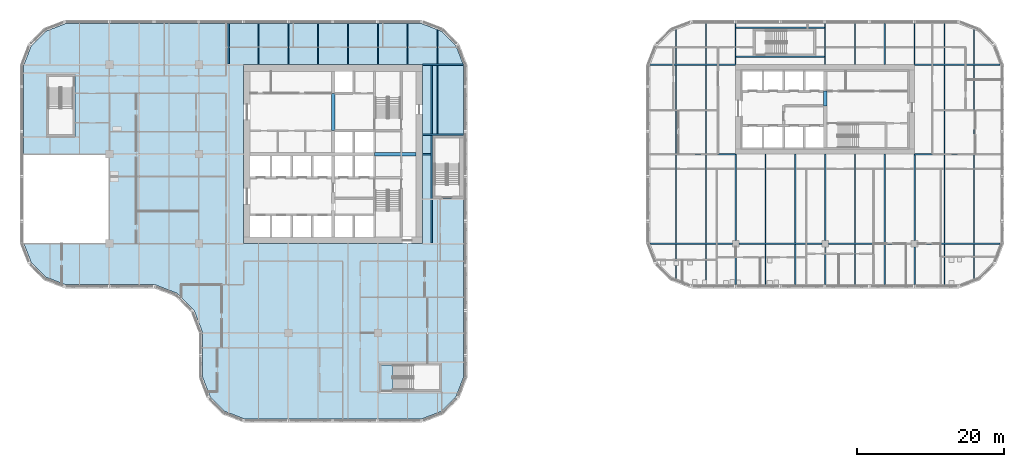
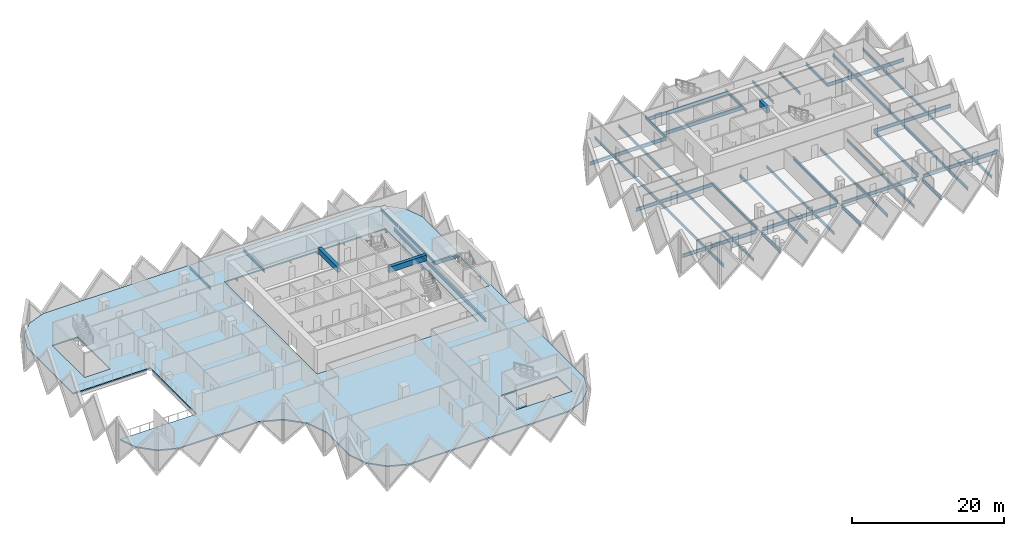
# One storey, part 2 of 20: 61 beams, 2 slabs.
"""IFC4 building model written with IfcOpenShell, lengths in metres."""

from ifc_helpers import new_model, si_unit, direction, frame, origin, origin_2d, place, context, subcontext, project, spatial, polyline, rectangle, i_section, outline, extrude, material, layer, layer_set, material_profile, profile_set, type_object, element, save


model = new_model("IFC4")

# Units and contexts
model_context = context("Model", 3, precision=1e-05, world=origin(), true_north=direction((0.0, 1.0)))
body_context = subcontext(model_context, "Body", "Model", "MODEL_VIEW")
ifc_project = project(units=[si_unit("LENGTHUNIT", "METRE"), si_unit("AREAUNIT", "SQUARE_METRE"), si_unit("VOLUMEUNIT", "CUBIC_METRE"), si_unit("PLANEANGLEUNIT", "RADIAN"), si_unit("MASSUNIT", "GRAM", prefix="KILO")], contexts=[model_context])

# Site, building, storey
site_placement = place(None, origin())
site = spatial("IfcSite", under=ifc_project, at=site_placement, CompositionType="ELEMENT")
building_placement = place(site_placement, origin())
building = spatial("IfcBuilding", under=site, at=building_placement, Name="Tessera Gate Towers", CompositionType="ELEMENT")
storey_placement = place(building_placement, frame((0.0, 0.0, 52.39990234375)))
storey = spatial("IfcBuildingStorey", under=building, at=storey_placement, Name="L12", CompositionType="ELEMENT", Elevation=52.39990234375)

# Beams
ifc_material_1 = material(Name="Concrete C60/75", Category="concrete")
ifc_material_profile_1 = material_profile(ifc_material_1, rectangle(XDim=0.5, YDim=0.89990234375, at=origin_2d()), Name="RC 500x900")
ifc_profile_set_1 = profile_set([ifc_material_profile_1], Name="Concrete C60/75")
beam_type_1 = type_object("IfcBeamType", Name="COUPLING BEAM 500x900 C60/75", PredefinedType="BEAM", material=ifc_profile_set_1)
beam_1_placement = place(storey_placement, frame((109.800048828125, 43.199951171875, 3.150146484375), z_axis=(0.0, 1.0, 0.0), x_axis=(-1.0, 0.0, 0.0)))
element("IfcBeam", 1, at=beam_1_placement, inside=storey, type_object=beam_type_1, Name="L12 coupling beam 1", PredefinedType="BEAM", context=body_context, shape_type="SweptSolid", body=[
    extrude(rectangle(XDim=0.5, YDim=0.89990234375, at=origin_2d()), origin(), (0.0, 0.0, 1.0), 2.0),
])
ifc_material_2 = material(Name="Concrete C70/85", Category="concrete")
ifc_material_profile_2 = material_profile(ifc_material_2, rectangle(XDim=0.5, YDim=0.89990234375, at=origin_2d()), Name="RC 500x900")
ifc_profile_set_2 = profile_set([ifc_material_profile_2], Name="Concrete C70/85")
beam_type_2 = type_object("IfcBeamType", Name="COUPLING BEAM 500x900 C70/85", PredefinedType="BEAM", material=ifc_profile_set_2)
beam_2_placement = place(storey_placement, frame((48.35009765625, 36.60009765625, 3.150146484375), z_axis=(1.0, 0.0, 0.0), x_axis=(0.0, 1.0, 0.0)))
element("IfcBeam", 2, at=beam_2_placement, inside=storey, type_object=beam_type_2, Name="L12 coupling beam 1", PredefinedType="BEAM", context=body_context, shape_type="SweptSolid", body=[
    extrude(rectangle(XDim=0.5, YDim=0.89990234375, at=origin_2d()), origin(), (0.0, 0.0, 1.0), 5.64990234375),
])
beam_3_placement = place(storey_placement, frame((42.699951171875, 39.800048828125, 3.150146484375), z_axis=(0.0, 1.0, 0.0), x_axis=(-1.0, 0.0, 0.0)))
element("IfcBeam", 3, at=beam_3_placement, inside=storey, type_object=beam_type_2, Name="L12 coupling beam 2", PredefinedType="BEAM", context=body_context, shape_type="SweptSolid", body=[
    extrude(rectangle(XDim=0.5, YDim=0.89990234375, at=origin_2d()), origin(), (0.0, 0.0, 1.0), 5.099853515625),
])
ifc_material_3 = material(Name="Steel 350W", Category="steel")
ifc_material_profile_3 = material_profile(ifc_material_3, i_section(OverallWidth=0.208984375, OverallDepth=0.532958984375, WebThickness=0.01025390625, FlangeThickness=0.015625, at=origin_2d()), Name="W530x92")
ifc_profile_set_3 = profile_set([ifc_material_profile_3], Name="Steel 350W")
beam_type_3 = type_object("IfcBeamType", Name="FLOOR GIRDER W530x92", PredefinedType="BEAM", material=ifc_profile_set_3)
beam_4_placement = place(storey_placement, frame((54.89892578125, 36.60009765625, -0.46630859375), z_axis=(1.0, 0.0, 0.0), x_axis=(0.0, 1.0, 0.0)))
element("IfcBeam", 4, at=beam_4_placement, inside=storey, type_object=beam_type_3, Name="T1-GD-L12-1762", PredefinedType="BEAM", context=body_context, shape_type="SweptSolid", body=[
    extrude(i_section(OverallWidth=0.208984375, OverallDepth=0.532958984375, WebThickness=0.01025390625, FlangeThickness=0.015625, at=origin_2d()), origin(), (0.0, 0.0, 1.0), 1.176513671875),
])
beam_5_placement = place(storey_placement, frame((54.90087890625, 48.800048828125, -0.46630859375), z_axis=(1.0, 0.0, 0.0), x_axis=(0.0, 1.0, 0.0)))
element("IfcBeam", 5, at=beam_5_placement, inside=storey, type_object=beam_type_3, Name="T1-GD-L12-1766", PredefinedType="BEAM", context=body_context, shape_type="SweptSolid", body=[
    extrude(i_section(OverallWidth=0.208984375, OverallDepth=0.532958984375, WebThickness=0.01025390625, FlangeThickness=0.015625, at=origin_2d()), origin(), (0.0, 0.0, 1.0), 5.564208984375),
])
beam_6_placement = place(storey_placement, frame((54.89892578125, 39.219970703125, -0.46630859375), z_axis=(1.0, 0.0, 0.0), x_axis=(0.0, 1.0, 0.0)))
element("IfcBeam", 6, at=beam_6_placement, inside=storey, type_object=beam_type_3, Name="T1-GD-L12-1784", PredefinedType="BEAM", context=body_context, shape_type="SweptSolid", body=[
    extrude(i_section(OverallWidth=0.208984375, OverallDepth=0.532958984375, WebThickness=0.01025390625, FlangeThickness=0.015625, at=origin_2d()), origin(), (0.0, 0.0, 1.0), 5.60205078125),
])
beam_7_placement = place(storey_placement, frame((56.179931640625, 24.50439453125, -0.46630859375), z_axis=(0.0, 1.0, 0.0), x_axis=(-1.0, 0.0, 0.0)))
element("IfcBeam", 7, at=beam_7_placement, inside=storey, type_object=beam_type_3, Name="T1-GD-L12-1785", PredefinedType="BEAM", context=body_context, shape_type="SweptSolid", body=[
    extrude(i_section(OverallWidth=0.208984375, OverallDepth=0.532958984375, WebThickness=0.01025390625, FlangeThickness=0.015625, at=origin_2d()), origin(), (0.0, 0.0, 1.0), 24.191162109375),
])
beam_8_placement = place(storey_placement, frame((85.934814453125, 24.39990234375, -0.46630859375), z_axis=(1.0, 0.0, 0.0), x_axis=(0.0, 1.0, 0.0)))
element("IfcBeam", 8, at=beam_8_placement, inside=storey, type_object=beam_type_3, Name="T2-GD-L12-1826", PredefinedType="BEAM", context=body_context, shape_type="SweptSolid", body=[
    extrude(i_section(OverallWidth=0.208984375, OverallDepth=0.532958984375, WebThickness=0.01025390625, FlangeThickness=0.015625, at=origin_2d()), origin(), (0.0, 0.0, 1.0), 11.215087890625),
])
for number, where, z_axis, x_axis, name in (
    (9, (98.050048828125, 24.39990234375, -0.46630859375), (1.0, 0.0, 0.0), (0.0, 1.0, 0.0), "T2-GD-L12-1827"),
    (10, (110.25, 24.39990234375, -0.46630859375), (1.0, 0.0, 0.0), (0.0, 1.0, 0.0), "T2-GD-L12-1828"),
):
    element("IfcBeam", number, at=place(storey_placement, frame(where, z_axis=z_axis, x_axis=x_axis)), inside=storey, type_object=beam_type_3, Name=name, PredefinedType="BEAM", context=body_context, shape_type="SweptSolid", body=[
        extrude(i_section(OverallWidth=0.208984375, OverallDepth=0.532958984375, WebThickness=0.01025390625, FlangeThickness=0.015625, at=origin_2d()), origin(), (0.0, 0.0, 1.0), 11.300048828125),
    ])
beam_9_placement = place(storey_placement, frame((122.449951171875, 24.39990234375, -0.46630859375), z_axis=(1.0, 0.0, 0.0), x_axis=(0.0, 1.0, 0.0)))
element("IfcBeam", 11, at=beam_9_placement, inside=storey, type_object=beam_type_3, Name="T2-GD-L12-1829", PredefinedType="BEAM", context=body_context, shape_type="SweptSolid", body=[
    extrude(i_section(OverallWidth=0.208984375, OverallDepth=0.532958984375, WebThickness=0.01025390625, FlangeThickness=0.015625, at=origin_2d()), origin(), (0.0, 0.0, 1.0), 11.21533203125),
])
beam_10_placement = place(storey_placement, frame((85.89892578125, 36.60009765625, -0.46630859375), z_axis=(1.0, 0.0, 0.0), x_axis=(0.0, 1.0, 0.0)))
element("IfcBeam", 12, at=beam_10_placement, inside=storey, type_object=beam_type_3, Name="T2-GD-L12-1830", PredefinedType="BEAM", context=body_context, shape_type="SweptSolid", body=[
    extrude(i_section(OverallWidth=0.208984375, OverallDepth=0.532958984375, WebThickness=0.01025390625, FlangeThickness=0.015625, at=origin_2d()), origin(), (0.0, 0.0, 1.0), 11.7001953125),
])
beam_11_placement = place(storey_placement, frame((122.0009765625, 36.60009765625, -0.46630859375), z_axis=(1.0, 0.0, 0.0), x_axis=(0.0, 1.0, 0.0)))
element("IfcBeam", 13, at=beam_11_placement, inside=storey, type_object=beam_type_3, Name="T2-GD-L12-1831", PredefinedType="BEAM", context=body_context, shape_type="SweptSolid", body=[
    extrude(i_section(OverallWidth=0.208984375, OverallDepth=0.532958984375, WebThickness=0.01025390625, FlangeThickness=0.015625, at=origin_2d()), origin(), (0.0, 0.0, 1.0), 11.699951171875),
])
for number, where, z_axis, x_axis, name in (
    (14, (85.934814453125, 48.800048828125, -0.46630859375), (1.0, 0.0, 0.0), (0.0, 1.0, 0.0), "T2-GD-L12-1832"),
    (15, (122.0009765625, 48.800048828125, -0.46630859375), (1.0, 0.0, 0.0), (0.0, 1.0, 0.0), "T2-GD-L12-1833"),
):
    element("IfcBeam", number, at=place(storey_placement, frame(where, z_axis=z_axis, x_axis=x_axis)), inside=storey, type_object=beam_type_3, Name=name, PredefinedType="BEAM", context=body_context, shape_type="SweptSolid", body=[
        extrude(i_section(OverallWidth=0.208984375, OverallDepth=0.532958984375, WebThickness=0.01025390625, FlangeThickness=0.015625, at=origin_2d()), origin(), (0.0, 0.0, 1.0), 11.664306640625),
    ])
beam_12_placement = place(storey_placement, frame((97.60009765625, 18.799072265625, -0.46630859375), z_axis=(0.0, 1.0, 0.0), x_axis=(-1.0, 0.0, 0.0)))
element("IfcBeam", 16, at=beam_12_placement, inside=storey, type_object=beam_type_3, Name="T2-GD-L12-1834", PredefinedType="BEAM", context=body_context, shape_type="SweptSolid", body=[
    extrude(i_section(OverallWidth=0.208984375, OverallDepth=0.532958984375, WebThickness=0.01025390625, FlangeThickness=0.015625, at=origin_2d()), origin(), (0.0, 0.0, 1.0), 5.15087890625),
])
beam_13_placement = place(storey_placement, frame((97.60009765625, 24.85009765625, -0.46630859375), z_axis=(0.0, 1.0, 0.0), x_axis=(-1.0, 0.0, 0.0)))
element("IfcBeam", 17, at=beam_13_placement, inside=storey, type_object=beam_type_3, Name="T2-GD-L12-1835", PredefinedType="BEAM", context=body_context, shape_type="SweptSolid", body=[
    extrude(i_section(OverallWidth=0.208984375, OverallDepth=0.532958984375, WebThickness=0.01025390625, FlangeThickness=0.015625, at=origin_2d()), origin(), (0.0, 0.0, 1.0), 11.75),
])
beam_14_placement = place(storey_placement, frame((109.800048828125, 18.799072265625, -0.46630859375), z_axis=(0.0, 1.0, 0.0), x_axis=(-1.0, 0.0, 0.0)))
element("IfcBeam", 18, at=beam_14_placement, inside=storey, type_object=beam_type_3, Name="T2-GD-L12-1836", PredefinedType="BEAM", context=body_context, shape_type="SweptSolid", body=[
    extrude(i_section(OverallWidth=0.208984375, OverallDepth=0.532958984375, WebThickness=0.01025390625, FlangeThickness=0.015625, at=origin_2d()), origin(), (0.0, 0.0, 1.0), 5.15087890625),
])
beam_15_placement = place(storey_placement, frame((109.800048828125, 24.85009765625, -0.46630859375), z_axis=(0.0, 1.0, 0.0), x_axis=(-1.0, 0.0, 0.0)))
element("IfcBeam", 19, at=beam_15_placement, inside=storey, type_object=beam_type_3, Name="T2-GD-L12-1837", PredefinedType="BEAM", context=body_context, shape_type="SweptSolid", body=[
    extrude(i_section(OverallWidth=0.208984375, OverallDepth=0.532958984375, WebThickness=0.01025390625, FlangeThickness=0.015625, at=origin_2d()), origin(), (0.0, 0.0, 1.0), 11.75),
])
beam_16_placement = place(storey_placement, frame((122.0, 18.799072265625, -0.46630859375), z_axis=(0.0, 1.0, 0.0), x_axis=(-1.0, 0.0, 0.0)))
element("IfcBeam", 20, at=beam_16_placement, inside=storey, type_object=beam_type_3, Name="T2-GD-L12-1838", PredefinedType="BEAM", context=body_context, shape_type="SweptSolid", body=[
    extrude(i_section(OverallWidth=0.208984375, OverallDepth=0.532958984375, WebThickness=0.01025390625, FlangeThickness=0.015625, at=origin_2d()), origin(), (0.0, 0.0, 1.0), 5.15087890625),
])
beam_17_placement = place(storey_placement, frame((122.0, 24.85009765625, -0.46630859375), z_axis=(0.0, 1.0, 0.0), x_axis=(-1.0, 0.0, 0.0)))
element("IfcBeam", 21, at=beam_17_placement, inside=storey, type_object=beam_type_3, Name="T2-GD-L12-1839", PredefinedType="BEAM", context=body_context, shape_type="SweptSolid", body=[
    extrude(i_section(OverallWidth=0.208984375, OverallDepth=0.532958984375, WebThickness=0.01025390625, FlangeThickness=0.015625, at=origin_2d()), origin(), (0.0, 0.0, 1.0), 11.75),
])
for number, where, z_axis, x_axis, name in (
    (22, (97.676513671875, 49.8798828125, -0.46630859375), (1.0, 0.0, 0.0), (0.0, 1.0, 0.0), "T2-GD-L12-1840"),
    (23, (97.676513671875, 53.820068359375, -0.46630859375), (1.0, 0.0, 0.0), (0.0, 1.0, 0.0), "T2-GD-L12-1841"),
):
    element("IfcBeam", number, at=place(storey_placement, frame(where, z_axis=z_axis, x_axis=x_axis)), inside=storey, type_object=beam_type_3, Name=name, PredefinedType="BEAM", context=body_context, shape_type="SweptSolid", body=[
        extrude(i_section(OverallWidth=0.208984375, OverallDepth=0.532958984375, WebThickness=0.01025390625, FlangeThickness=0.015625, at=origin_2d()), origin(), (0.0, 0.0, 1.0), 12.046875),
    ])
ifc_material_4 = material(Name="Steel 350W", Category="steel")
ifc_material_profile_4 = material_profile(ifc_material_4, i_section(OverallWidth=0.153076171875, OverallDepth=0.455078125, WebThickness=0.008056640625, FlangeThickness=0.01318359375, at=origin_2d()), Name="W460x60")
ifc_profile_set_4 = profile_set([ifc_material_profile_4], Name="Steel 350W")
beam_type_4 = type_object("IfcBeamType", Name="FLOOR SECONDARY W460x60", PredefinedType="BEAM", material=ifc_profile_set_4)
beam_18_placement = place(storey_placement, frame((28.466796875, 48.904541015625, -0.427490234375), z_axis=(0.0, 1.0, 0.0), x_axis=(-1.0, 0.0, 0.0)))
element("IfcBeam", 24, at=beam_18_placement, inside=storey, type_object=beam_type_4, Name="T1-BM-L12-1804", PredefinedType="BEAM", context=body_context, shape_type="SweptSolid", body=[
    extrude(i_section(OverallWidth=0.153076171875, OverallDepth=0.455078125, WebThickness=0.008056640625, FlangeThickness=0.01318359375, at=origin_2d()), origin(), (0.0, 0.0, 1.0), 5.495361328125),
])
for number, where, z_axis, x_axis, name in (
    (25, (32.533203125, 48.800048828125, -0.427490234375), (0.0, 1.0, 0.0), (-1.0, 0.0, 0.0), "T1-BM-L12-1807"),
    (26, (36.60009765625, 48.800048828125, -0.427490234375), (0.0, 1.0, 0.0), (-1.0, 0.0, 0.0), "T1-BM-L12-1808"),
    (27, (40.666748046875, 48.800048828125, -0.427490234375), (0.0, 1.0, 0.0), (-1.0, 0.0, 0.0), "T1-BM-L12-1811"),
    (28, (44.7333984375, 48.800048828125, -0.427490234375), (0.0, 1.0, 0.0), (-1.0, 0.0, 0.0), "T1-BM-L12-1814"),
    (29, (48.800048828125, 48.800048828125, -0.427490234375), (0.0, 1.0, 0.0), (-1.0, 0.0, 0.0), "T1-BM-L12-1815"),
    (30, (52.86669921875, 48.800048828125, -0.427490234375), (0.0, 1.0, 0.0), (-1.0, 0.0, 0.0), "T1-BM-L12-1819"),
):
    element("IfcBeam", number, at=place(storey_placement, frame(where, z_axis=z_axis, x_axis=x_axis)), inside=storey, type_object=beam_type_4, Name=name, PredefinedType="BEAM", context=body_context, shape_type="SweptSolid", body=[
        extrude(i_section(OverallWidth=0.153076171875, OverallDepth=0.455078125, WebThickness=0.008056640625, FlangeThickness=0.01318359375, at=origin_2d()), origin(), (0.0, 0.0, 1.0), 5.599853515625),
    ])
beam_19_placement = place(storey_placement, frame((56.933349609375, 39.324462890625, -0.427490234375), z_axis=(0.0, 1.0, 0.0), x_axis=(-1.0, 0.0, 0.0)))
element("IfcBeam", 31, at=beam_19_placement, inside=storey, type_object=beam_type_4, Name="T1-BM-L12-1824", PredefinedType="BEAM", context=body_context, shape_type="SweptSolid", body=[
    extrude(i_section(OverallWidth=0.153076171875, OverallDepth=0.455078125, WebThickness=0.008056640625, FlangeThickness=0.01318359375, at=origin_2d()), origin(), (0.0, 0.0, 1.0), 9.37109375),
])
for number, where, z_axis, x_axis, name in (
    (32, (56.933349609375, 48.904541015625, -0.427490234375), (0.0, 1.0, 0.0), (-1.0, 0.0, 0.0), "T1-BM-L12-1825"),
    (33, (89.466796875, 19.620361328125, -0.427490234375), (0.0, 1.0, 0.0), (-1.0, 0.0, 0.0), "T2-BM-L12-1842"),
):
    element("IfcBeam", number, at=place(storey_placement, frame(where, z_axis=z_axis, x_axis=x_axis)), inside=storey, type_object=beam_type_4, Name=name, PredefinedType="BEAM", context=body_context, shape_type="SweptSolid", body=[
        extrude(i_section(OverallWidth=0.153076171875, OverallDepth=0.455078125, WebThickness=0.008056640625, FlangeThickness=0.01318359375, at=origin_2d()), origin(), (0.0, 0.0, 1.0), 4.675048828125),
    ])
beam_20_placement = place(storey_placement, frame((89.466796875, 24.50439453125, -0.427490234375), z_axis=(0.0, 1.0, 0.0), x_axis=(-1.0, 0.0, 0.0)))
element("IfcBeam", 34, at=beam_20_placement, inside=storey, type_object=beam_type_4, Name="T2-BM-L12-1843", PredefinedType="BEAM", context=body_context, shape_type="SweptSolid", body=[
    extrude(i_section(OverallWidth=0.153076171875, OverallDepth=0.455078125, WebThickness=0.008056640625, FlangeThickness=0.01318359375, at=origin_2d()), origin(), (0.0, 0.0, 1.0), 11.9912109375),
])
beam_21_placement = place(storey_placement, frame((89.466796875, 36.70458984375, -0.427490234375), z_axis=(0.0, 1.0, 0.0), x_axis=(-1.0, 0.0, 0.0)))
element("IfcBeam", 35, at=beam_21_placement, inside=storey, type_object=beam_type_4, Name="T2-BM-L12-1844", PredefinedType="BEAM", context=body_context, shape_type="SweptSolid", body=[
    extrude(i_section(OverallWidth=0.153076171875, OverallDepth=0.455078125, WebThickness=0.008056640625, FlangeThickness=0.01318359375, at=origin_2d()), origin(), (0.0, 0.0, 1.0), 11.990966796875),
])
beam_22_placement = place(storey_placement, frame((89.466796875, 48.904541015625, -0.427490234375), z_axis=(0.0, 1.0, 0.0), x_axis=(-1.0, 0.0, 0.0)))
element("IfcBeam", 36, at=beam_22_placement, inside=storey, type_object=beam_type_4, Name="T2-BM-L12-1845", PredefinedType="BEAM", context=body_context, shape_type="SweptSolid", body=[
    extrude(i_section(OverallWidth=0.153076171875, OverallDepth=0.455078125, WebThickness=0.008056640625, FlangeThickness=0.01318359375, at=origin_2d()), origin(), (0.0, 0.0, 1.0), 4.675048828125),
])
beam_23_placement = place(storey_placement, frame((93.533203125, 18.800048828125, -0.427490234375), z_axis=(0.0, 1.0, 0.0), x_axis=(-1.0, 0.0, 0.0)))
element("IfcBeam", 37, at=beam_23_placement, inside=storey, type_object=beam_type_4, Name="T2-BM-L12-1846", PredefinedType="BEAM", context=body_context, shape_type="SweptSolid", body=[
    extrude(i_section(OverallWidth=0.153076171875, OverallDepth=0.455078125, WebThickness=0.008056640625, FlangeThickness=0.01318359375, at=origin_2d()), origin(), (0.0, 0.0, 1.0), 5.495361328125),
])
beam_24_placement = place(storey_placement, frame((93.533203125, 24.50439453125, -0.427490234375), z_axis=(0.0, 1.0, 0.0), x_axis=(-1.0, 0.0, 0.0)))
element("IfcBeam", 38, at=beam_24_placement, inside=storey, type_object=beam_type_4, Name="T2-BM-L12-1847", PredefinedType="BEAM", context=body_context, shape_type="SweptSolid", body=[
    extrude(i_section(OverallWidth=0.153076171875, OverallDepth=0.455078125, WebThickness=0.008056640625, FlangeThickness=0.01318359375, at=origin_2d()), origin(), (0.0, 0.0, 1.0), 11.9912109375),
])
beam_25_placement = place(storey_placement, frame((93.533203125, 36.70458984375, -0.427490234375), z_axis=(0.0, 1.0, 0.0), x_axis=(-1.0, 0.0, 0.0)))
element("IfcBeam", 39, at=beam_25_placement, inside=storey, type_object=beam_type_4, Name="T2-BM-L12-1848", PredefinedType="BEAM", context=body_context, shape_type="SweptSolid", body=[
    extrude(i_section(OverallWidth=0.153076171875, OverallDepth=0.455078125, WebThickness=0.008056640625, FlangeThickness=0.01318359375, at=origin_2d()), origin(), (0.0, 0.0, 1.0), 11.990966796875),
])
beam_26_placement = place(storey_placement, frame((93.533203125, 48.904541015625, -0.427490234375), z_axis=(0.0, 1.0, 0.0), x_axis=(-1.0, 0.0, 0.0)))
element("IfcBeam", 40, at=beam_26_placement, inside=storey, type_object=beam_type_4, Name="T2-BM-L12-1849", PredefinedType="BEAM", context=body_context, shape_type="SweptSolid", body=[
    extrude(i_section(OverallWidth=0.153076171875, OverallDepth=0.455078125, WebThickness=0.008056640625, FlangeThickness=0.01318359375, at=origin_2d()), origin(), (0.0, 0.0, 1.0), 5.495361328125),
])
beam_27_placement = place(storey_placement, frame((97.60009765625, 48.800048828125, -0.427490234375), z_axis=(0.0, 1.0, 0.0), x_axis=(-1.0, 0.0, 0.0)))
element("IfcBeam", 41, at=beam_27_placement, inside=storey, type_object=beam_type_4, Name="T2-BM-L12-1850", PredefinedType="BEAM", context=body_context, shape_type="SweptSolid", body=[
    extrude(i_section(OverallWidth=0.153076171875, OverallDepth=0.455078125, WebThickness=0.008056640625, FlangeThickness=0.01318359375, at=origin_2d()), origin(), (0.0, 0.0, 1.0), 5.599853515625),
])
beam_28_placement = place(storey_placement, frame((101.666748046875, 18.800048828125, -0.427490234375), z_axis=(0.0, 1.0, 0.0), x_axis=(-1.0, 0.0, 0.0)))
element("IfcBeam", 42, at=beam_28_placement, inside=storey, type_object=beam_type_4, Name="T2-BM-L12-1851", PredefinedType="BEAM", context=body_context, shape_type="SweptSolid", body=[
    extrude(i_section(OverallWidth=0.153076171875, OverallDepth=0.455078125, WebThickness=0.008056640625, FlangeThickness=0.01318359375, at=origin_2d()), origin(), (0.0, 0.0, 1.0), 5.495361328125),
])
beam_29_placement = place(storey_placement, frame((101.666748046875, 24.50439453125, -0.427490234375), z_axis=(0.0, 1.0, 0.0), x_axis=(-1.0, 0.0, 0.0)))
element("IfcBeam", 43, at=beam_29_placement, inside=storey, type_object=beam_type_4, Name="T2-BM-L12-1852", PredefinedType="BEAM", context=body_context, shape_type="SweptSolid", body=[
    extrude(i_section(OverallWidth=0.153076171875, OverallDepth=0.455078125, WebThickness=0.008056640625, FlangeThickness=0.01318359375, at=origin_2d()), origin(), (0.0, 0.0, 1.0), 12.095703125),
])
beam_30_placement = place(storey_placement, frame((105.7333984375, 18.800048828125, -0.427490234375), z_axis=(0.0, 1.0, 0.0), x_axis=(-1.0, 0.0, 0.0)))
element("IfcBeam", 44, at=beam_30_placement, inside=storey, type_object=beam_type_4, Name="T2-BM-L12-1853", PredefinedType="BEAM", context=body_context, shape_type="SweptSolid", body=[
    extrude(i_section(OverallWidth=0.153076171875, OverallDepth=0.455078125, WebThickness=0.008056640625, FlangeThickness=0.01318359375, at=origin_2d()), origin(), (0.0, 0.0, 1.0), 5.495361328125),
])
beam_31_placement = place(storey_placement, frame((105.7333984375, 24.50439453125, -0.427490234375), z_axis=(0.0, 1.0, 0.0), x_axis=(-1.0, 0.0, 0.0)))
element("IfcBeam", 45, at=beam_31_placement, inside=storey, type_object=beam_type_4, Name="T2-BM-L12-1854", PredefinedType="BEAM", context=body_context, shape_type="SweptSolid", body=[
    extrude(i_section(OverallWidth=0.153076171875, OverallDepth=0.455078125, WebThickness=0.008056640625, FlangeThickness=0.01318359375, at=origin_2d()), origin(), (0.0, 0.0, 1.0), 12.095703125),
])
beam_32_placement = place(storey_placement, frame((109.800048828125, 48.800048828125, -0.427490234375), z_axis=(0.0, 1.0, 0.0), x_axis=(-1.0, 0.0, 0.0)))
element("IfcBeam", 46, at=beam_32_placement, inside=storey, type_object=beam_type_4, Name="T2-BM-L12-1855", PredefinedType="BEAM", context=body_context, shape_type="SweptSolid", body=[
    extrude(i_section(OverallWidth=0.153076171875, OverallDepth=0.455078125, WebThickness=0.008056640625, FlangeThickness=0.01318359375, at=origin_2d()), origin(), (0.0, 0.0, 1.0), 5.599853515625),
])
beam_33_placement = place(storey_placement, frame((113.86669921875, 18.800048828125, -0.427490234375), z_axis=(0.0, 1.0, 0.0), x_axis=(-1.0, 0.0, 0.0)))
element("IfcBeam", 47, at=beam_33_placement, inside=storey, type_object=beam_type_4, Name="T2-BM-L12-1856", PredefinedType="BEAM", context=body_context, shape_type="SweptSolid", body=[
    extrude(i_section(OverallWidth=0.153076171875, OverallDepth=0.455078125, WebThickness=0.008056640625, FlangeThickness=0.01318359375, at=origin_2d()), origin(), (0.0, 0.0, 1.0), 5.495361328125),
])
beam_34_placement = place(storey_placement, frame((113.86669921875, 24.50439453125, -0.427490234375), z_axis=(0.0, 1.0, 0.0), x_axis=(-1.0, 0.0, 0.0)))
element("IfcBeam", 48, at=beam_34_placement, inside=storey, type_object=beam_type_4, Name="T2-BM-L12-1857", PredefinedType="BEAM", context=body_context, shape_type="SweptSolid", body=[
    extrude(i_section(OverallWidth=0.153076171875, OverallDepth=0.455078125, WebThickness=0.008056640625, FlangeThickness=0.01318359375, at=origin_2d()), origin(), (0.0, 0.0, 1.0), 12.095703125),
])
beam_35_placement = place(storey_placement, frame((113.86669921875, 48.800048828125, -0.427490234375), z_axis=(0.0, 1.0, 0.0), x_axis=(-1.0, 0.0, 0.0)))
element("IfcBeam", 49, at=beam_35_placement, inside=storey, type_object=beam_type_4, Name="T2-BM-L12-1858", PredefinedType="BEAM", context=body_context, shape_type="SweptSolid", body=[
    extrude(i_section(OverallWidth=0.153076171875, OverallDepth=0.455078125, WebThickness=0.008056640625, FlangeThickness=0.01318359375, at=origin_2d()), origin(), (0.0, 0.0, 1.0), 5.599853515625),
])
beam_36_placement = place(storey_placement, frame((117.933349609375, 18.800048828125, -0.427490234375), z_axis=(0.0, 1.0, 0.0), x_axis=(-1.0, 0.0, 0.0)))
element("IfcBeam", 50, at=beam_36_placement, inside=storey, type_object=beam_type_4, Name="T2-BM-L12-1859", PredefinedType="BEAM", context=body_context, shape_type="SweptSolid", body=[
    extrude(i_section(OverallWidth=0.153076171875, OverallDepth=0.455078125, WebThickness=0.008056640625, FlangeThickness=0.01318359375, at=origin_2d()), origin(), (0.0, 0.0, 1.0), 5.495361328125),
])
beam_37_placement = place(storey_placement, frame((117.933349609375, 24.50439453125, -0.427490234375), z_axis=(0.0, 1.0, 0.0), x_axis=(-1.0, 0.0, 0.0)))
element("IfcBeam", 51, at=beam_37_placement, inside=storey, type_object=beam_type_4, Name="T2-BM-L12-1860", PredefinedType="BEAM", context=body_context, shape_type="SweptSolid", body=[
    extrude(i_section(OverallWidth=0.153076171875, OverallDepth=0.455078125, WebThickness=0.008056640625, FlangeThickness=0.01318359375, at=origin_2d()), origin(), (0.0, 0.0, 1.0), 12.095703125),
])
for number, where, z_axis, x_axis, name in (
    (52, (117.933349609375, 48.800048828125, -0.427490234375), (0.0, 1.0, 0.0), (-1.0, 0.0, 0.0), "T2-BM-L12-1861"),
    (53, (122.0, 48.800048828125, -0.427490234375), (0.0, 1.0, 0.0), (-1.0, 0.0, 0.0), "T2-BM-L12-1862"),
):
    element("IfcBeam", number, at=place(storey_placement, frame(where, z_axis=z_axis, x_axis=x_axis)), inside=storey, type_object=beam_type_4, Name=name, PredefinedType="BEAM", context=body_context, shape_type="SweptSolid", body=[
        extrude(i_section(OverallWidth=0.153076171875, OverallDepth=0.455078125, WebThickness=0.008056640625, FlangeThickness=0.01318359375, at=origin_2d()), origin(), (0.0, 0.0, 1.0), 5.599853515625),
    ])
beam_38_placement = place(storey_placement, frame((126.066650390625, 18.800048828125, -0.427490234375), z_axis=(0.0, 1.0, 0.0), x_axis=(-1.0, 0.0, 0.0)))
element("IfcBeam", 54, at=beam_38_placement, inside=storey, type_object=beam_type_4, Name="T2-BM-L12-1863", PredefinedType="BEAM", context=body_context, shape_type="SweptSolid", body=[
    extrude(i_section(OverallWidth=0.153076171875, OverallDepth=0.455078125, WebThickness=0.008056640625, FlangeThickness=0.01318359375, at=origin_2d()), origin(), (0.0, 0.0, 1.0), 5.495361328125),
])
beam_39_placement = place(storey_placement, frame((126.066650390625, 24.50439453125, -0.427490234375), z_axis=(0.0, 1.0, 0.0), x_axis=(-1.0, 0.0, 0.0)))
element("IfcBeam", 55, at=beam_39_placement, inside=storey, type_object=beam_type_4, Name="T2-BM-L12-1864", PredefinedType="BEAM", context=body_context, shape_type="SweptSolid", body=[
    extrude(i_section(OverallWidth=0.153076171875, OverallDepth=0.455078125, WebThickness=0.008056640625, FlangeThickness=0.01318359375, at=origin_2d()), origin(), (0.0, 0.0, 1.0), 11.9912109375),
])
beam_40_placement = place(storey_placement, frame((126.066650390625, 36.70458984375, -0.427490234375), z_axis=(0.0, 1.0, 0.0), x_axis=(-1.0, 0.0, 0.0)))
element("IfcBeam", 56, at=beam_40_placement, inside=storey, type_object=beam_type_4, Name="T2-BM-L12-1865", PredefinedType="BEAM", context=body_context, shape_type="SweptSolid", body=[
    extrude(i_section(OverallWidth=0.153076171875, OverallDepth=0.455078125, WebThickness=0.008056640625, FlangeThickness=0.01318359375, at=origin_2d()), origin(), (0.0, 0.0, 1.0), 11.990966796875),
])
beam_41_placement = place(storey_placement, frame((126.066650390625, 48.904541015625, -0.427490234375), z_axis=(0.0, 1.0, 0.0), x_axis=(-1.0, 0.0, 0.0)))
element("IfcBeam", 57, at=beam_41_placement, inside=storey, type_object=beam_type_4, Name="T2-BM-L12-1866", PredefinedType="BEAM", context=body_context, shape_type="SweptSolid", body=[
    extrude(i_section(OverallWidth=0.153076171875, OverallDepth=0.455078125, WebThickness=0.008056640625, FlangeThickness=0.01318359375, at=origin_2d()), origin(), (0.0, 0.0, 1.0), 5.495361328125),
])
beam_42_placement = place(storey_placement, frame((130.13330078125, 19.620361328125, -0.427490234375), z_axis=(0.0, 1.0, 0.0), x_axis=(-1.0, 0.0, 0.0)))
element("IfcBeam", 58, at=beam_42_placement, inside=storey, type_object=beam_type_4, Name="T2-BM-L12-1867", PredefinedType="BEAM", context=body_context, shape_type="SweptSolid", body=[
    extrude(i_section(OverallWidth=0.153076171875, OverallDepth=0.455078125, WebThickness=0.008056640625, FlangeThickness=0.01318359375, at=origin_2d()), origin(), (0.0, 0.0, 1.0), 4.675048828125),
])
beam_43_placement = place(storey_placement, frame((130.13330078125, 24.50439453125, -0.427490234375), z_axis=(0.0, 1.0, 0.0), x_axis=(-1.0, 0.0, 0.0)))
element("IfcBeam", 59, at=beam_43_placement, inside=storey, type_object=beam_type_4, Name="T2-BM-L12-1868", PredefinedType="BEAM", context=body_context, shape_type="SweptSolid", body=[
    extrude(i_section(OverallWidth=0.153076171875, OverallDepth=0.455078125, WebThickness=0.008056640625, FlangeThickness=0.01318359375, at=origin_2d()), origin(), (0.0, 0.0, 1.0), 11.9912109375),
])
beam_44_placement = place(storey_placement, frame((130.13330078125, 36.70458984375, -0.427490234375), z_axis=(0.0, 1.0, 0.0), x_axis=(-1.0, 0.0, 0.0)))
element("IfcBeam", 60, at=beam_44_placement, inside=storey, type_object=beam_type_4, Name="T2-BM-L12-1869", PredefinedType="BEAM", context=body_context, shape_type="SweptSolid", body=[
    extrude(i_section(OverallWidth=0.153076171875, OverallDepth=0.455078125, WebThickness=0.008056640625, FlangeThickness=0.01318359375, at=origin_2d()), origin(), (0.0, 0.0, 1.0), 11.990966796875),
])
beam_45_placement = place(storey_placement, frame((130.13330078125, 48.904541015625, -0.427490234375), z_axis=(0.0, 1.0, 0.0), x_axis=(-1.0, 0.0, 0.0)))
element("IfcBeam", 61, at=beam_45_placement, inside=storey, type_object=beam_type_4, Name="T2-BM-L12-1870", PredefinedType="BEAM", context=body_context, shape_type="SweptSolid", body=[
    extrude(i_section(OverallWidth=0.153076171875, OverallDepth=0.455078125, WebThickness=0.008056640625, FlangeThickness=0.01318359375, at=origin_2d()), origin(), (0.0, 0.0, 1.0), 4.675048828125),
])

# Slabs
ifc_material_5 = material(Name="Concrete C35/45", Category="concrete")
ifc_layer_1 = layer(ifc_material_5, 0.199951171875)
ifc_layer_set_1 = layer_set([ifc_layer_1], Name="COMPOSITE FLOOR 200")
slab_type_1 = type_object("IfcSlabType", Name="COMPOSITE FLOOR 200", PredefinedType="FLOOR", material=ifc_layer_set_1)
slab_1_placement = place(storey_placement, frame((0.0, 0.0, -0.199951171875)))
element("IfcSlab", 62, at=slab_1_placement, inside=storey, type_object=slab_type_1, Name="T1-L12", PredefinedType="FLOOR", context=body_context, shape_type="SweptSolid", body=[
    extrude(outline(polyline([(0.5, 36.60009765625), (12.199951171875, 36.60009765625), (12.199951171875, 24.39990234375), (0.535888671875, 24.39990234375), (1.526123046875, 21.8330078125), (3.533203125, 19.826171875), (6.193115234375, 18.800048828125), (18.39306640625, 18.800048828125), (21.42431640625, 17.630615234375), (23.730712890625, 15.32421875), (24.89990234375, 12.293212890625), (24.89990234375, 6.193115234375), (25.926025390625, 3.533203125), (27.93310546875, 1.526123046875), (30.593017578125, 0.5), (54.806884765625, 0.5), (57.466796875, 1.526123046875), (59.473876953125, 3.533203125), (60.5, 6.193115234375), (60.5, 48.706787109375), (59.473876953125, 51.366943359375), (57.466796875, 53.373779296875), (54.806884765625, 54.39990234375), (6.193115234375, 54.39990234375), (3.533203125, 53.373779296875), (1.526123046875, 51.366943359375), (0.5, 48.706787109375), (0.5, 36.60009765625)]), holes=[polyline([(3.60009765625, 39.0), (3.60009765625, 47.5), (7.5, 47.5), (7.5, 39.0), (3.60009765625, 39.0)]), polyline([(30.5, 24.39990234375), (30.5, 48.800048828125), (54.89990234375, 48.800048828125), (54.89990234375, 24.39990234375), (30.5, 24.39990234375)]), polyline([(49.0, 4.199951171875), (49.0, 8.10009765625), (57.5, 8.10009765625), (57.5, 4.199951171875), (49.0, 4.199951171875)]), polyline([(56.300048828125, 30.60009765625), (56.300048828125, 39.10009765625), (60.199951171875, 39.10009765625), (60.199951171875, 30.60009765625), (56.300048828125, 30.60009765625)])]), origin(), (0.0, 0.0, 1.0), 0.199951171875),
])
ifc_material_6 = material(Name="Concrete C35/45", Category="concrete")
ifc_layer_2 = layer(ifc_material_6, 0.199951171875)
ifc_layer_set_2 = layer_set([ifc_layer_2], Name="CORE FLOOR SLAB 200")
slab_type_2 = type_object("IfcSlabType", Name="CORE FLOOR SLAB 200", PredefinedType="FLOOR", material=ifc_layer_set_2)
slab_2_placement = place(storey_placement, frame((0.0, 0.0, -0.199951171875)))
element("IfcSlab", 63, at=slab_2_placement, inside=storey, type_object=slab_type_2, Name="L12 ST4 floor landing", PredefinedType="FLOOR", context=body_context, shape_type="SweptSolid", body=[
    extrude(outline(polyline([(49.25, 4.449951171875), (50.85009765625, 4.449951171875), (50.85009765625, 7.85009765625), (49.25, 7.85009765625), (49.25, 4.449951171875)])), origin(), (0.0, 0.0, 1.0), 0.199951171875),
])

save(model, "model.ifc")
